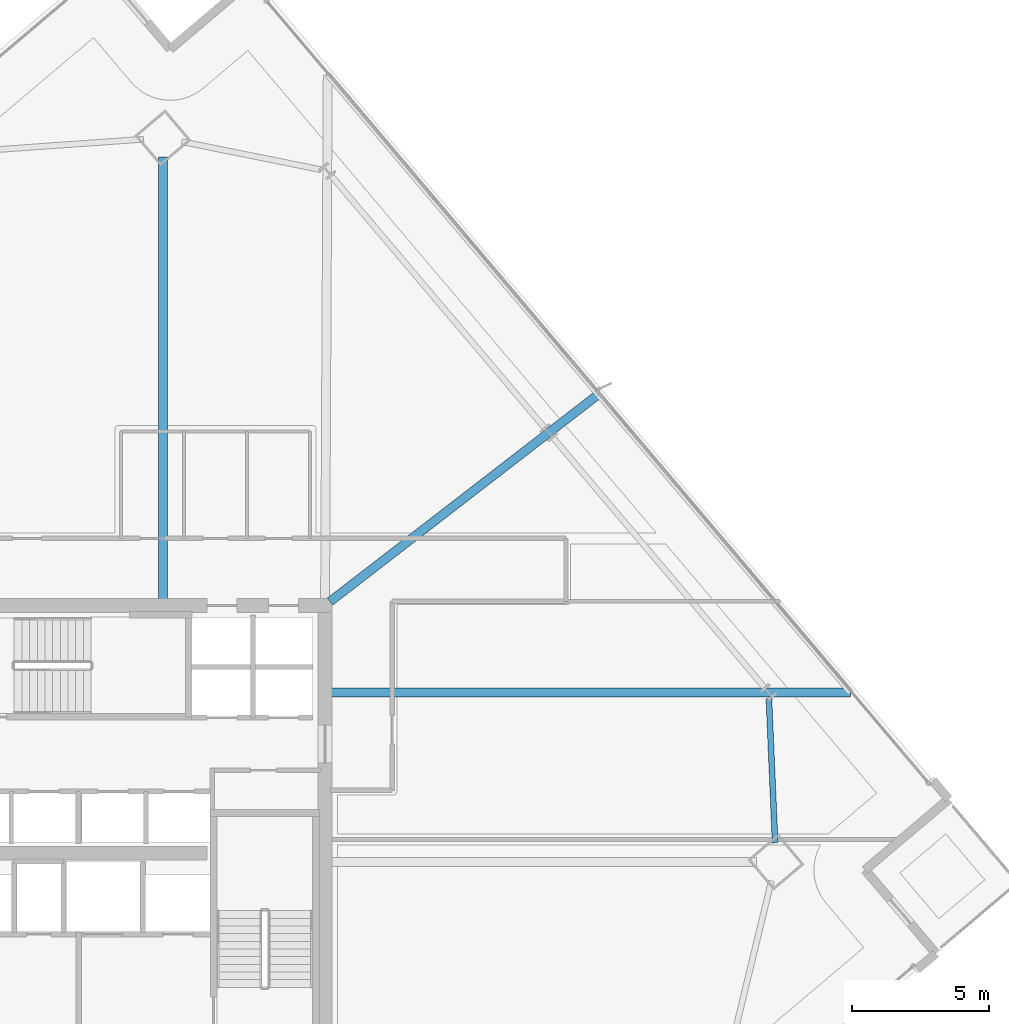
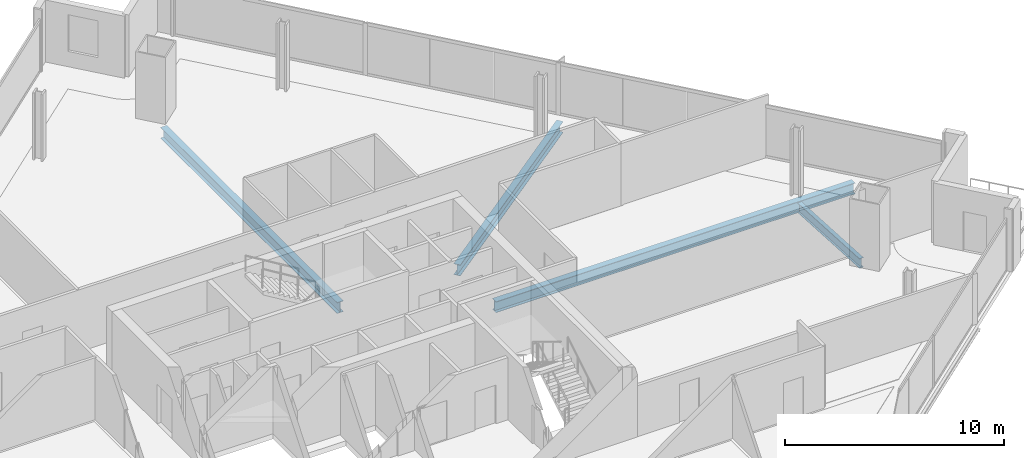
# One storey, part 21 of 34: 4 beams.
"""IFC4 building model written with IfcOpenShell, lengths in metres."""

from ifc_helpers import new_model, si_unit, direction, frame, origin, origin_2d, place, context, subcontext, project, spatial, i_section, extrude, material, material_profile, profile_set, type_object, element, save


model = new_model("IFC4")

# Units and contexts
model_context = context("Model", 3, precision=1e-05, world=origin(), true_north=direction((0.0, 1.0)))
body_context = subcontext(model_context, "Body", "Model", "MODEL_VIEW")
ifc_project = project(units=[si_unit("LENGTHUNIT", "METRE"), si_unit("AREAUNIT", "SQUARE_METRE"), si_unit("VOLUMEUNIT", "CUBIC_METRE"), si_unit("PLANEANGLEUNIT", "RADIAN"), si_unit("MASSUNIT", "GRAM", prefix="KILO")], contexts=[model_context])

# Site, building, storey
site_placement = place(None, origin())
site = spatial("IfcSite", under=ifc_project, at=site_placement, CompositionType="ELEMENT")
building_placement = place(site_placement, origin())
building = spatial("IfcBuilding", under=site, at=building_placement, Name="Haldenkirk Collegiate Tower", CompositionType="ELEMENT")
storey_placement = place(building_placement, frame((0.0, 0.0, 163.199951171875)))
storey = spatial("IfcBuildingStorey", under=building, at=storey_placement, Name="L40", CompositionType="ELEMENT", Elevation=163.199951171875)

# Beams
ifc_material = material(Name="Steel ASTM A992 Grade 50", Category="steel")
ifc_material_profile_1 = material_profile(ifc_material, i_section(OverallWidth=0.324951171875, OverallDepth=0.615966796875, WebThickness=0.013916015625, FlangeThickness=0.021484375, at=origin_2d()), Name="W24X117")
ifc_profile_set_1 = profile_set([ifc_material_profile_1], Name="Steel ASTM A992 Grade 50")
beam_type_1 = type_object("IfcBeamType", Name="BM-GIRDER-W24X117", PredefinedType="BEAM", material=ifc_profile_set_1)
beam_1_placement = place(storey_placement, frame((39.076904296875, 50.3701171875, -0.597900390625), z_axis=(0.0, -1.0, 0.0), x_axis=(1.0, 0.0, 0.0)))
element("IfcBeam", 1, at=beam_1_placement, inside=storey, type_object=beam_type_1, Name="L40 primary floor girder 03", PredefinedType="BEAM", context=body_context, shape_type="SweptSolid", body=[
    extrude(i_section(OverallWidth=0.324951171875, OverallDepth=0.615966796875, WebThickness=0.013916015625, FlangeThickness=0.021484375, at=origin_2d()), origin(), (0.0, 0.0, 1.0), 16.14013671875),
])
beam_2_placement = place(storey_placement, frame((64.186767578125, 30.82421875, -0.597900390625), z_axis=(-1.0, 0.0, 0.0), x_axis=(0.0, -1.0, 0.0)))
element("IfcBeam", 2, at=beam_2_placement, inside=storey, type_object=beam_type_1, Name="L40 primary floor girder 08", PredefinedType="BEAM", context=body_context, shape_type="SweptSolid", body=[
    extrude(i_section(OverallWidth=0.324951171875, OverallDepth=0.615966796875, WebThickness=0.013916015625, FlangeThickness=0.021484375, at=origin_2d()), origin(), (0.0, 0.0, 1.0), 18.956787109375),
])
beam_3_placement = place(storey_placement, frame((54.97802734375, 41.701904296875, -0.597900390625), z_axis=(-0.791599026685, -0.611040899573, 0.0), x_axis=(0.611040899573, -0.791599026685, 0.0)))
element("IfcBeam", 3, at=beam_3_placement, inside=storey, type_object=beam_type_1, Name="L40 primary floor girder 09", PredefinedType="BEAM", context=body_context, shape_type="SweptSolid", body=[
    extrude(i_section(OverallWidth=0.324951171875, OverallDepth=0.615966796875, WebThickness=0.013916015625, FlangeThickness=0.021484375, at=origin_2d()), origin(), (0.0, 0.0, 1.0), 12.374755859375),
])
ifc_material_profile_2 = material_profile(ifc_material, i_section(OverallWidth=0.2119140625, OverallDepth=0.5439453125, WebThickness=0.01318359375, FlangeThickness=0.021240234375, at=origin_2d()), Name="W21X83")
ifc_profile_set_2 = profile_set([ifc_material_profile_2], Name="Steel ASTM A992 Grade 50")
beam_type_2 = type_object("IfcBeamType", Name="BM-SPANDREL-W21X83", PredefinedType="SPANDREL", material=ifc_profile_set_2)
beam_4_placement = place(storey_placement, frame((61.434814453125, 25.33349609375, -0.56201171875), z_axis=(-0.042833703015, 0.999082215779, 0.0), x_axis=(-0.999082215779, -0.042833703015, 0.0)))
element("IfcBeam", 4, at=beam_4_placement, inside=storey, type_object=beam_type_2, Name="L40 perimeter spandrel beam 05", PredefinedType="SPANDREL", context=body_context, shape_type="SweptSolid", body=[
    extrude(i_section(OverallWidth=0.2119140625, OverallDepth=0.5439453125, WebThickness=0.01318359375, FlangeThickness=0.021240234375, at=origin_2d()), origin(), (0.0, 0.0, 1.0), 5.2666015625),
])

save(model, "model.ifc")
